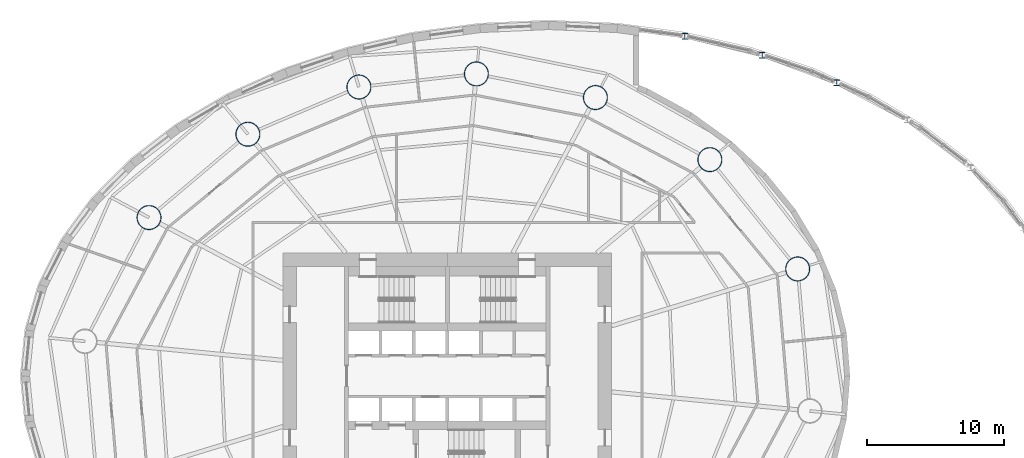
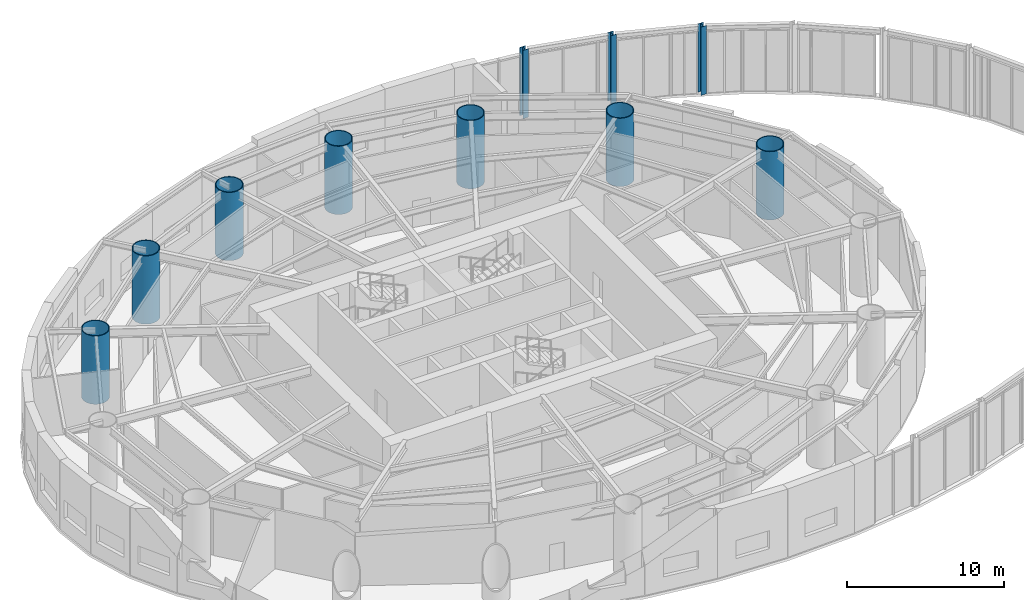
# One storey, part 2 of 19: 10 columns.
"""IFC4 building model written with IfcOpenShell, lengths in metres."""

from ifc_helpers import new_model, si_unit, direction, frame, origin, origin_2d, place, context, subcontext, project, spatial, hollow_circle, i_section, extrude, material, material_profile, profile_set, type_object, element, save


model = new_model("IFC4")

# Units and contexts
model_context = context("Model", 3, precision=1e-05, world=origin(), true_north=direction((0.0, 1.0)))
body_context = subcontext(model_context, "Body", "Model", "MODEL_VIEW")
ifc_project = project(units=[si_unit("LENGTHUNIT", "METRE"), si_unit("AREAUNIT", "SQUARE_METRE"), si_unit("VOLUMEUNIT", "CUBIC_METRE"), si_unit("PLANEANGLEUNIT", "RADIAN"), si_unit("MASSUNIT", "GRAM", prefix="KILO")], contexts=[model_context])

# Site, building, storey
site_placement = place(None, origin())
site = spatial("IfcSite", under=ifc_project, at=site_placement, CompositionType="ELEMENT")
building_placement = place(site_placement, origin())
building = spatial("IfcBuilding", under=site, at=building_placement, Name="Vermilion Reach Broadcast Tower", CompositionType="ELEMENT")
storey_placement = place(building_placement, frame((0.0, 0.0, 26.0)))
storey = spatial("IfcBuildingStorey", under=building, at=storey_placement, Name="L03", CompositionType="ELEMENT", Elevation=26.0)

# Columns
ifc_material_1 = material(Name="Steel S460NL", Category="steel")
ifc_material_profile_1 = material_profile(ifc_material_1, i_section(OverallWidth=0.406982421875, OverallDepth=0.427978515625, WebThickness=0.02001953125, FlangeThickness=0.034912109375, at=origin_2d()), Name="S460NL HW 428x407x20x35")
ifc_profile_set_1 = profile_set([ifc_material_profile_1], Name="Steel S460NL")
column_type_1 = type_object("IfcColumnType", Name="AP HW 428x407x20x35", PredefinedType="COLUMN", material=ifc_profile_set_1)
for number, where, z_axis, x_axis, name in (
    (1, (22.43115234375, 21.408935546875, 0.0), (0.0, 0.0, 1.0), (1.0, 0.0, 0.0), "Atrium post AP13"),
    (2, (16.984619140625, 23.43505859375, 0.0), (0.0, 0.0, 1.0), (1.0, 0.0, 0.0), "Atrium post AP14"),
    (3, (11.337158203125, 24.81884765625, 0.0), (0.0, 0.0, 1.0), (1.0, 0.0, 0.0), "Atrium post AP15"),
):
    element("IfcColumn", number, at=place(storey_placement, frame(where, z_axis=z_axis, x_axis=x_axis)), inside=storey, type_object=column_type_1, Name=name, PredefinedType="COLUMN", context=body_context, shape_type="SweptSolid", body=[
        extrude(i_section(OverallWidth=0.406982421875, OverallDepth=0.427978515625, WebThickness=0.02001953125, FlangeThickness=0.034912109375, at=origin_2d()), origin(), (0.0, 0.0, 1.0), 5.300048828125),
    ])
ifc_material_2 = material(Name="Concrete C80 infill in steel S460NL tube", Category="concrete")
ifc_material_profile_2 = material_profile(ifc_material_2, hollow_circle(Radius=0.89990234375, WallThickness=0.06005859375, at=origin_2d()), Name="Concrete C80 infill in steel S460NL tube CFT 1800x60")
ifc_profile_set_2 = profile_set([ifc_material_profile_2], Name="Concrete C80 infill in steel S460NL tube")
column_type_2 = type_object("IfcColumnType", Name="MC1 CFT 1800x60", PredefinedType="COLUMN", material=ifc_profile_set_2)
for number, where, z_axis, x_axis, name in (
    (4, (19.575439453125, 7.823974609375, 0.0), (0.0, 0.0, 1.0), (1.0, 0.0, 0.0), "Mega-column MC1-01"),
    (5, (13.166259765625, 15.804931640625, 0.0), (0.0, 0.0, 1.0), (1.0, 0.0, 0.0), "Mega-column MC1-02"),
    (6, (4.809814453125, 20.3388671875, 0.0), (0.0, 0.0, 1.0), (1.0, 0.0, 0.0), "Mega-column MC1-03"),
    (7, (-3.87939453125, 22.06396484375, 0.0), (0.0, 0.0, 1.0), (1.0, 0.0, 0.0), "Mega-column MC1-04"),
    (8, (-12.45751953125, 21.108154296875, 0.0), (0.0, 0.0, 1.0), (1.0, 0.0, 0.0), "Mega-column MC1-05"),
    (9, (-20.563232421875, 17.660400390625, 0.0), (0.0, 0.0, 1.0), (1.0, 0.0, 0.0), "Mega-column MC1-06"),
    (10, (-27.77978515625, 11.57568359375, 0.0), (0.0, 0.0, 1.0), (1.0, 0.0, 0.0), "Mega-column MC1-07"),
):
    element("IfcColumn", number, at=place(storey_placement, frame(where, z_axis=z_axis, x_axis=x_axis)), inside=storey, type_object=column_type_2, Name=name, PredefinedType="COLUMN", context=body_context, shape_type="SweptSolid", body=[
        extrude(hollow_circle(Radius=0.89990234375, WallThickness=0.06005859375, at=origin_2d()), origin(), (0.0, 0.0, 1.0), 5.300048828125),
    ])

save(model, "model.ifc")
